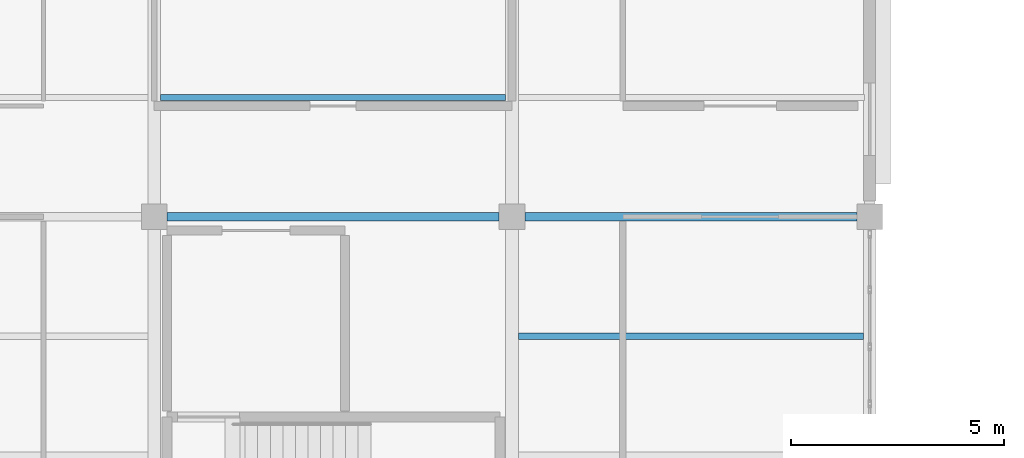
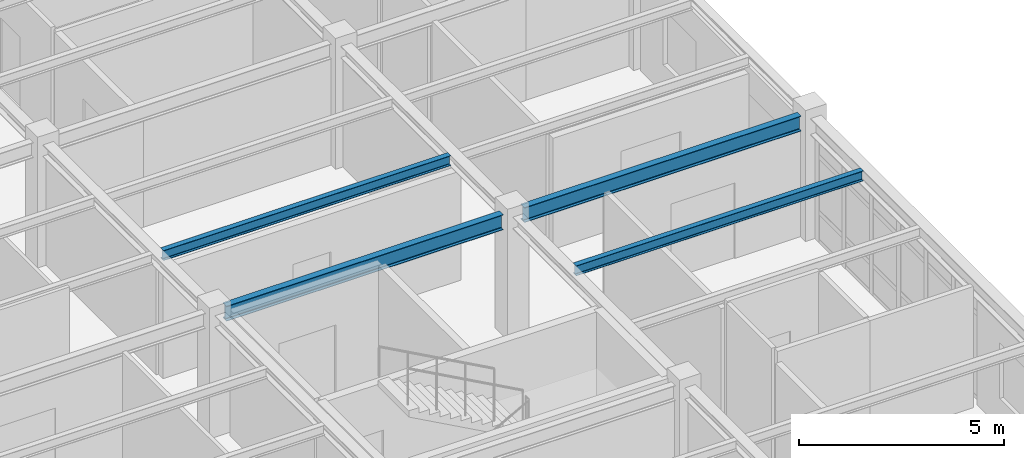
# One storey, part 22 of 86: 4 beams.
"""IFC4 building model written with IfcOpenShell, lengths in metres."""

from ifc_helpers import new_model, si_unit, direction, frame, origin, origin_2d, place, context, subcontext, project, spatial, i_section, extrude, material, material_profile, profile_set, type_object, element, save


model = new_model("IFC4")

# Units and contexts
model_context = context("Model", 3, precision=1e-05, world=origin(), true_north=direction((0.0, 1.0)))
body_context = subcontext(model_context, "Body", "Model", "MODEL_VIEW")
ifc_project = project(units=[si_unit("LENGTHUNIT", "METRE"), si_unit("AREAUNIT", "SQUARE_METRE"), si_unit("VOLUMEUNIT", "CUBIC_METRE"), si_unit("PLANEANGLEUNIT", "RADIAN"), si_unit("MASSUNIT", "GRAM", prefix="KILO")], contexts=[model_context])

# Site, building, storey
site_placement = place(None, origin())
site = spatial("IfcSite", under=ifc_project, at=site_placement, CompositionType="ELEMENT")
building_placement = place(site_placement, origin())
building = spatial("IfcBuilding", under=site, at=building_placement, Name="Bramfleet General Hospital", CompositionType="ELEMENT")
storey_placement = place(building_placement, frame((0.0, 0.0, 18.60009765625)))
storey = spatial("IfcBuildingStorey", under=building, at=storey_placement, Name="L04", CompositionType="ELEMENT", Elevation=18.60009765625)

# Beams
ifc_material = material(Name="Steel S355", Category="steel")
ifc_material_profile_1 = material_profile(ifc_material, i_section(OverallWidth=0.14990234375, OverallDepth=0.300048828125, WebThickness=0.007080078125, FlangeThickness=0.0107421875, FilletRadius=0.014892578125, at=origin_2d()), Name="IPE 300")
ifc_profile_set_1 = profile_set([ifc_material_profile_1], Name="Steel S355")
beam_type_1 = type_object("IfcBeamType", Name="BM-IPE300", PredefinedType="JOIST", material=ifc_profile_set_1)
beam_1_placement = place(storey_placement, frame((100.949951171875, 78.39990234375, 3.469970703125), z_axis=(1.0, 0.0, 0.0), x_axis=(0.0, 1.0, 0.0)))
element("IfcBeam", 1, at=beam_1_placement, inside=storey, type_object=beam_type_1, Name="L04 Secondary Joist 12-09-1", PredefinedType="JOIST", context=body_context, shape_type="SweptSolid", body=[
    extrude(i_section(OverallWidth=0.14990234375, OverallDepth=0.300048828125, WebThickness=0.007080078125, FlangeThickness=0.0107421875, FilletRadius=0.014892578125, at=origin_2d()), origin(), (0.0, 0.0, 1.0), 8.10009765625),
])
beam_2_placement = place(storey_placement, frame((109.35009765625, 72.800048828125, 3.469970703125), z_axis=(1.0, 0.0, 0.0), x_axis=(0.0, 1.0, 0.0)))
element("IfcBeam", 2, at=beam_2_placement, inside=storey, type_object=beam_type_1, Name="L04 Secondary Joist 13-08-2", PredefinedType="JOIST", context=body_context, shape_type="SweptSolid", body=[
    extrude(i_section(OverallWidth=0.14990234375, OverallDepth=0.300048828125, WebThickness=0.007080078125, FlangeThickness=0.0107421875, FilletRadius=0.014892578125, at=origin_2d()), origin(), (0.0, 0.0, 1.0), 8.099853515625),
])
ifc_material_profile_2 = material_profile(ifc_material, i_section(OverallWidth=0.18994140625, OverallDepth=0.449951171875, WebThickness=0.009521484375, FlangeThickness=0.0146484375, FilletRadius=0.02099609375, at=origin_2d()), Name="IPE 450")
ifc_profile_set_2 = profile_set([ifc_material_profile_2], Name="Steel S355")
beam_type_2 = type_object("IfcBeamType", Name="BM-IPE450", PredefinedType="BEAM", material=ifc_profile_set_2)
beam_3_placement = place(storey_placement, frame((101.10009765625, 75.60009765625, 3.39501953125), z_axis=(1.0, 0.0, 0.0), x_axis=(0.0, 1.0, 0.0)))
element("IfcBeam", 3, at=beam_3_placement, inside=storey, type_object=beam_type_2, Name="L04 Grid Beam X 12-09", PredefinedType="BEAM", context=body_context, shape_type="SweptSolid", body=[
    extrude(i_section(OverallWidth=0.18994140625, OverallDepth=0.449951171875, WebThickness=0.009521484375, FlangeThickness=0.0146484375, FilletRadius=0.02099609375, at=origin_2d()), origin(), (0.0, 0.0, 1.0), 7.7998046875),
])
beam_4_placement = place(storey_placement, frame((109.5, 75.60009765625, 3.39501953125), z_axis=(1.0, 0.0, 0.0), x_axis=(0.0, 1.0, 0.0)))
element("IfcBeam", 4, at=beam_4_placement, inside=storey, type_object=beam_type_2, Name="L04 Grid Beam X 13-09", PredefinedType="BEAM", context=body_context, shape_type="SweptSolid", body=[
    extrude(i_section(OverallWidth=0.18994140625, OverallDepth=0.449951171875, WebThickness=0.009521484375, FlangeThickness=0.0146484375, FilletRadius=0.02099609375, at=origin_2d()), origin(), (0.0, 0.0, 1.0), 7.800048828125),
])

save(model, "model.ifc")
